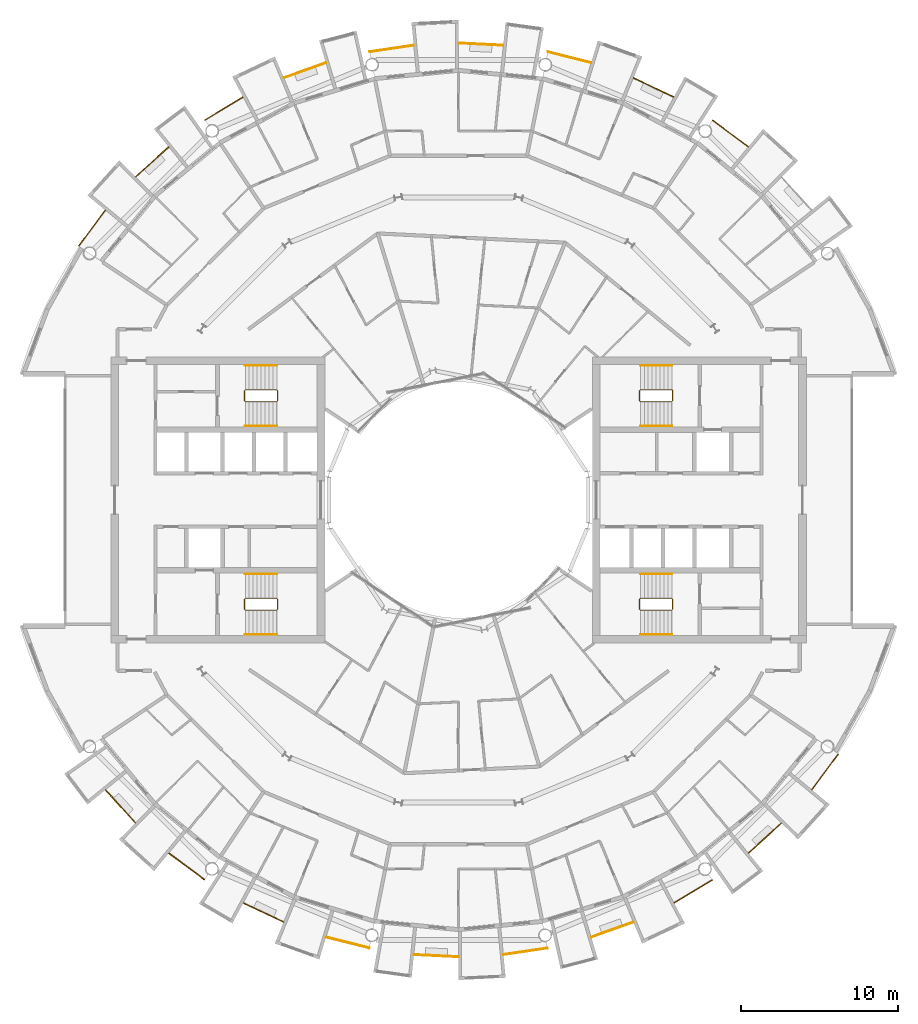
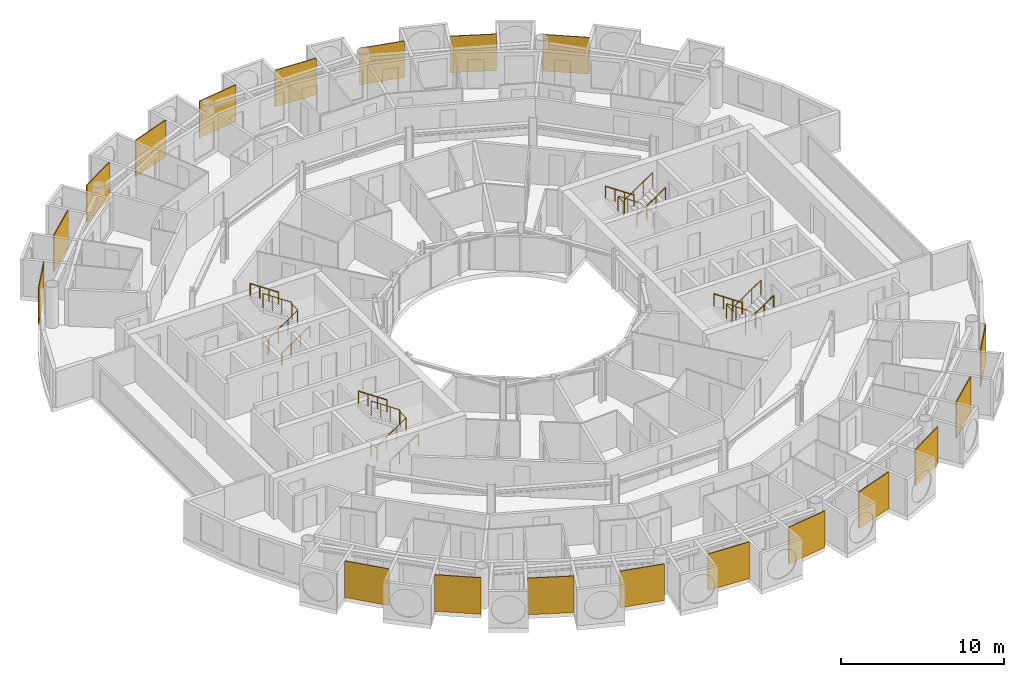
# One storey, part 26 of 27: 31 railings.
"""IFC4 building model written with IfcOpenShell, lengths in metres."""

from ifc_helpers import new_model, si_unit, direction, frame, origin, origin_2d, place, context, subcontext, project, spatial, polyline, circle, outline, extrude, material, layer, layer_set, type_object, element, save


model = new_model("IFC4")

# Units and contexts
model_context = context("Model", 3, precision=1e-05, world=origin(), true_north=direction((0.0, 1.0)))
body_context = subcontext(model_context, "Body", "Model", "MODEL_VIEW")
ifc_project = project(units=[si_unit("LENGTHUNIT", "METRE"), si_unit("AREAUNIT", "SQUARE_METRE"), si_unit("VOLUMEUNIT", "CUBIC_METRE"), si_unit("PLANEANGLEUNIT", "RADIAN"), si_unit("MASSUNIT", "GRAM", prefix="KILO")], contexts=[model_context])

# Site, building, storey
site_placement = place(None, origin())
site = spatial("IfcSite", under=ifc_project, at=site_placement, CompositionType="ELEMENT")
building_placement = place(site_placement, origin())
building = spatial("IfcBuilding", under=site, at=building_placement, Name="Maasbend Ring Residences", CompositionType="ELEMENT")
storey_placement = place(building_placement, frame((0.0, 0.0, 167.699951171875)))
storey = spatial("IfcBuildingStorey", under=building, at=storey_placement, Name="L48", CompositionType="ELEMENT", Elevation=167.699951171875)

# Railings
ifc_material_1 = material(Name="Pale anodised perforated aluminium", Category="aluminium")
ifc_layer = layer(ifc_material_1, 0.06005859375)
ifc_layer_set = layer_set([ifc_layer], Name="SCREEN-P")
railing_type_1 = type_object("IfcRailingType", Name="SCREEN-P", PredefinedType="GUARDRAIL", material=ifc_layer_set)
railing_1_placement = place(storey_placement, frame((0.0, 0.0, -0.030029296875)))
element("IfcRailing", 1, at=railing_1_placement, inside=storey, type_object=railing_type_1, Name="Perforated screen guard 2", PredefinedType="GUARDRAIL", context=body_context, shape_type="SweptSolid", body=[
    extrude(outline(polyline([(18.39697265625, 22.4169921875), (16.112060546875, 24.113037109375), (16.14697265625, 24.160888671875), (18.43310546875, 22.465087890625), (18.39697265625, 22.4169921875)])), origin(), (0.0, 0.0, 1.0), 2.72998046875),
])
railing_2_placement = place(storey_placement, frame((0.0, 0.0, -0.030029296875)))
element("IfcRailing", 2, at=railing_2_placement, inside=storey, type_object=railing_type_1, Name="Perforated screen guard 3", PredefinedType="GUARDRAIL", context=body_context, shape_type="SweptSolid", body=[
    extrude(outline(polyline([(13.6708984375, 25.575927734375), (11.097900390625, 26.79296875), (11.123046875, 26.846923828125), (13.696044921875, 25.6298828125), (13.6708984375, 25.575927734375)])), origin(), (0.0, 0.0, 1.0), 2.72998046875),
])
railing_3_placement = place(storey_placement, frame((0.0, 0.0, -0.030029296875)))
element("IfcRailing", 3, at=railing_3_placement, inside=storey, type_object=railing_type_1, Name="Perforated screen guard 4", PredefinedType="GUARDRAIL", context=body_context, shape_type="SweptSolid", body=[
    extrude(outline(polyline([(8.41796875, 27.7509765625), (5.657958984375, 28.443115234375), (5.672119140625, 28.5009765625), (8.43310546875, 27.80908203125), (8.41796875, 27.7509765625)])), origin(), (0.0, 0.0, 1.0), 2.72998046875),
])
railing_4_placement = place(storey_placement, frame((0.0, 0.0, -0.030029296875)))
element("IfcRailing", 4, at=railing_4_placement, inside=storey, type_object=railing_type_1, Name="Perforated screen guard 5", PredefinedType="GUARDRAIL", context=body_context, shape_type="SweptSolid", body=[
    extrude(outline(polyline([(2.842041015625, 28.860107421875), (0.0, 29.0), (0.0029296875, 29.06005859375), (2.844970703125, 28.919921875), (2.842041015625, 28.860107421875)])), origin(), (0.0, 0.0, 1.0), 2.72998046875),
])
railing_5_placement = place(storey_placement, frame((0.0, 0.0, -0.030029296875)))
element("IfcRailing", 5, at=railing_5_placement, inside=storey, type_object=railing_type_1, Name="Perforated screen guard 6", PredefinedType="GUARDRAIL", context=body_context, shape_type="SweptSolid", body=[
    extrude(outline(polyline([(-2.842041015625, 28.860107421875), (-5.657958984375, 28.443115234375), (-5.666015625, 28.501953125), (-2.85107421875, 28.919921875), (-2.842041015625, 28.860107421875)])), origin(), (0.0, 0.0, 1.0), 2.72998046875),
])
railing_6_placement = place(storey_placement, frame((0.0, 0.0, -0.030029296875)))
element("IfcRailing", 6, at=railing_6_placement, inside=storey, type_object=railing_type_1, Name="Perforated screen guard 7", PredefinedType="GUARDRAIL", context=body_context, shape_type="SweptSolid", body=[
    extrude(outline(polyline([(-8.41796875, 27.7509765625), (-11.097900390625, 26.79296875), (-11.117919921875, 26.84912109375), (-8.43798828125, 27.80810546875), (-8.41796875, 27.7509765625)])), origin(), (0.0, 0.0, 1.0), 2.72998046875),
])
railing_7_placement = place(storey_placement, frame((0.0, 0.0, -0.030029296875)))
element("IfcRailing", 7, at=railing_7_placement, inside=storey, type_object=railing_type_1, Name="Perforated screen guard 8", PredefinedType="GUARDRAIL", context=body_context, shape_type="SweptSolid", body=[
    extrude(outline(polyline([(-13.6708984375, 25.575927734375), (-16.112060546875, 24.113037109375), (-16.14208984375, 24.1640625), (-13.700927734375, 25.626953125), (-13.6708984375, 25.575927734375)])), origin(), (0.0, 0.0, 1.0), 2.72998046875),
])
railing_8_placement = place(storey_placement, frame((0.0, 0.0, -0.030029296875)))
element("IfcRailing", 8, at=railing_8_placement, inside=storey, type_object=railing_type_1, Name="Perforated screen guard 9", PredefinedType="GUARDRAIL", context=body_context, shape_type="SweptSolid", body=[
    extrude(outline(polyline([(-18.39697265625, 22.4169921875), (-20.506103515625, 20.506103515625), (-20.5458984375, 20.551025390625), (-18.43798828125, 22.4619140625), (-18.39697265625, 22.4169921875)])), origin(), (0.0, 0.0, 1.0), 2.72998046875),
])
railing_9_placement = place(storey_placement, frame((0.0, 0.0, -0.030029296875)))
element("IfcRailing", 9, at=railing_9_placement, inside=storey, type_object=railing_type_1, Name="Perforated screen guard 10", PredefinedType="GUARDRAIL", context=body_context, shape_type="SweptSolid", body=[
    extrude(outline(polyline([(-22.4169921875, 18.39697265625), (-24.113037109375, 16.112060546875), (-24.160888671875, 16.14697265625), (-22.465087890625, 18.43310546875), (-22.4169921875, 18.39697265625)])), origin(), (0.0, 0.0, 1.0), 2.72998046875),
])
railing_10_placement = place(storey_placement, frame((0.0, 0.0, -0.030029296875)))
element("IfcRailing", 10, at=railing_10_placement, inside=storey, type_object=railing_type_1, Name="Perforated screen guard 1", PredefinedType="GUARDRAIL", context=body_context, shape_type="SweptSolid", body=[
    extrude(outline(polyline([(-22.4169921875, -18.39697265625), (-20.506103515625, -20.506103515625), (-20.551025390625, -20.5458984375), (-22.4619140625, -18.43798828125), (-22.4169921875, -18.39697265625)])), origin(), (0.0, 0.0, 1.0), 2.72998046875),
])
railing_11_placement = place(storey_placement, frame((0.0, 0.0, -0.030029296875)))
element("IfcRailing", 11, at=railing_11_placement, inside=storey, type_object=railing_type_1, Name="Perforated screen guard 2", PredefinedType="GUARDRAIL", context=body_context, shape_type="SweptSolid", body=[
    extrude(outline(polyline([(-18.39697265625, -22.4169921875), (-16.112060546875, -24.113037109375), (-16.14697265625, -24.160888671875), (-18.43310546875, -22.465087890625), (-18.39697265625, -22.4169921875)])), origin(), (0.0, 0.0, 1.0), 2.72998046875),
])
railing_12_placement = place(storey_placement, frame((0.0, 0.0, -0.030029296875)))
element("IfcRailing", 12, at=railing_12_placement, inside=storey, type_object=railing_type_1, Name="Perforated screen guard 3", PredefinedType="GUARDRAIL", context=body_context, shape_type="SweptSolid", body=[
    extrude(outline(polyline([(-13.6708984375, -25.575927734375), (-11.097900390625, -26.79296875), (-11.123046875, -26.846923828125), (-13.696044921875, -25.6298828125), (-13.6708984375, -25.575927734375)])), origin(), (0.0, 0.0, 1.0), 2.72998046875),
])
railing_13_placement = place(storey_placement, frame((0.0, 0.0, -0.030029296875)))
element("IfcRailing", 13, at=railing_13_placement, inside=storey, type_object=railing_type_1, Name="Perforated screen guard 4", PredefinedType="GUARDRAIL", context=body_context, shape_type="SweptSolid", body=[
    extrude(outline(polyline([(-8.41796875, -27.7509765625), (-5.657958984375, -28.443115234375), (-5.672119140625, -28.5009765625), (-8.43310546875, -27.80908203125), (-8.41796875, -27.7509765625)])), origin(), (0.0, 0.0, 1.0), 2.72998046875),
])
railing_14_placement = place(storey_placement, frame((0.0, 0.0, -0.030029296875)))
element("IfcRailing", 14, at=railing_14_placement, inside=storey, type_object=railing_type_1, Name="Perforated screen guard 5", PredefinedType="GUARDRAIL", context=body_context, shape_type="SweptSolid", body=[
    extrude(outline(polyline([(-2.842041015625, -28.860107421875), (0.0, -29.0), (-0.0029296875, -29.06005859375), (-2.844970703125, -28.919921875), (-2.842041015625, -28.860107421875)])), origin(), (0.0, 0.0, 1.0), 2.72998046875),
])
railing_15_placement = place(storey_placement, frame((0.0, 0.0, -0.030029296875)))
element("IfcRailing", 15, at=railing_15_placement, inside=storey, type_object=railing_type_1, Name="Perforated screen guard 6", PredefinedType="GUARDRAIL", context=body_context, shape_type="SweptSolid", body=[
    extrude(outline(polyline([(2.842041015625, -28.860107421875), (5.657958984375, -28.443115234375), (5.666015625, -28.501953125), (2.85107421875, -28.919921875), (2.842041015625, -28.860107421875)])), origin(), (0.0, 0.0, 1.0), 2.72998046875),
])
railing_16_placement = place(storey_placement, frame((0.0, 0.0, -0.030029296875)))
element("IfcRailing", 16, at=railing_16_placement, inside=storey, type_object=railing_type_1, Name="Perforated screen guard 7", PredefinedType="GUARDRAIL", context=body_context, shape_type="SweptSolid", body=[
    extrude(outline(polyline([(8.41796875, -27.7509765625), (11.097900390625, -26.79296875), (11.117919921875, -26.84912109375), (8.43798828125, -27.80810546875), (8.41796875, -27.7509765625)])), origin(), (0.0, 0.0, 1.0), 2.72998046875),
])
railing_17_placement = place(storey_placement, frame((0.0, 0.0, -0.030029296875)))
element("IfcRailing", 17, at=railing_17_placement, inside=storey, type_object=railing_type_1, Name="Perforated screen guard 8", PredefinedType="GUARDRAIL", context=body_context, shape_type="SweptSolid", body=[
    extrude(outline(polyline([(13.6708984375, -25.575927734375), (16.112060546875, -24.113037109375), (16.14208984375, -24.1640625), (13.700927734375, -25.626953125), (13.6708984375, -25.575927734375)])), origin(), (0.0, 0.0, 1.0), 2.72998046875),
])
railing_18_placement = place(storey_placement, frame((0.0, 0.0, -0.030029296875)))
element("IfcRailing", 18, at=railing_18_placement, inside=storey, type_object=railing_type_1, Name="Perforated screen guard 9", PredefinedType="GUARDRAIL", context=body_context, shape_type="SweptSolid", body=[
    extrude(outline(polyline([(18.39697265625, -22.4169921875), (20.506103515625, -20.506103515625), (20.5458984375, -20.551025390625), (18.43798828125, -22.4619140625), (18.39697265625, -22.4169921875)])), origin(), (0.0, 0.0, 1.0), 2.72998046875),
])
railing_19_placement = place(storey_placement, frame((0.0, 0.0, -0.030029296875)))
element("IfcRailing", 19, at=railing_19_placement, inside=storey, type_object=railing_type_1, Name="Perforated screen guard 10", PredefinedType="GUARDRAIL", context=body_context, shape_type="SweptSolid", body=[
    extrude(outline(polyline([(22.4169921875, -18.39697265625), (24.113037109375, -16.112060546875), (24.160888671875, -16.14697265625), (22.465087890625, -18.43310546875), (22.4169921875, -18.39697265625)])), origin(), (0.0, 0.0, 1.0), 2.72998046875),
])
ifc_material_2 = material(Name="Stainless steel 316", Category="steel")
railing_type_2 = type_object("IfcRailingType", Name="STAIR GUARD 1100", PredefinedType="GUARDRAIL", material=ifc_material_2)
railing_20_placement = place(storey_placement, frame((13.60009765625, 6.300048828125, 0.0)))
element("IfcRailing", 20, at=railing_20_placement, inside=storey, type_object=railing_type_2, Name="L48 ST-E1 stair guard 1", PredefinedType="GUARDRAIL", context=body_context, shape_type="SweptSolid", body=[
    extrude(circle(Radius=0.02392578125, at=origin_2d()), frame((0.0, 0.0, 1.076171875), z_axis=(0.0, 1.0, 0.0), x_axis=(-1.0, 0.0, 0.0)), (0.0, 0.0, 1.0), 0.64990234375),
    extrude(circle(Radius=0.02392578125, at=origin_2d()), frame((0.0, 0.64990234375, 1.076171875), z_axis=(-0.272562526181, 0.272562526181, 0.92272386912), x_axis=(-0.707106781187, -0.707106781187, 0.0)), (0.0, 0.0, 1.0), 0.18359375),
    extrude(circle(Radius=0.02392578125, at=origin_2d()), frame((-0.050048828125, 0.699951171875, 1.24560546875), z_axis=(-0.827750655447, 0.0, 0.561096116906), x_axis=(0.0, -1.0, 0.0)), (0.0, 0.0, 1.0), 2.416259765625),
    extrude(circle(Radius=0.02392578125, at=origin_2d()), frame((-2.050048828125, 0.699951171875, 2.60107421875), z_axis=(-0.707106781187, -0.707106781187, 0.0), x_axis=(0.707106781187, -0.707106781187, 0.0)), (0.0, 0.0, 1.0), 0.07080078125),
    extrude(circle(Radius=0.02392578125, at=origin_2d()), frame((-2.10009765625, 0.64990234375, 2.60107421875), z_axis=(0.0, -1.0, 0.0), x_axis=(1.0, 0.0, 0.0)), (0.0, 0.0, 1.0), 0.64990234375),
    extrude(circle(Radius=0.02392578125, at=origin_2d()), frame((-2.10009765625, 0.0, 2.60107421875), z_axis=(0.272562526181, -0.272562526181, 0.92272386912), x_axis=(0.707106781187, 0.707106781187, 0.0)), (0.0, 0.0, 1.0), 0.18359375),
    extrude(circle(Radius=0.02392578125, at=origin_2d()), frame((-2.050048828125, -0.050048828125, 2.7705078125), z_axis=(0.827797584762, 0.0, 0.561026878735), x_axis=(0.0, 1.0, 0.0)), (0.0, 0.0, 1.0), 2.416015625),
    extrude(circle(Radius=0.02099609375, at=origin_2d()), origin(), (0.0, 0.0, 1.0), 1.052001953125),
    extrude(circle(Radius=0.02099609375, at=origin_2d()), frame((0.0, 0.64990234375, 0.0)), (0.0, 0.0, 1.0), 1.052001953125),
    extrude(circle(Radius=0.02099609375, at=origin_2d()), frame((-0.050048828125, 0.699951171875, 0.16943359375)), (0.0, 0.0, 1.0), 1.052001953125),
    extrude(circle(Radius=0.02099609375, at=origin_2d()), frame((-0.716796875, 0.699951171875, 0.621337890625)), (0.0, 0.0, 1.0), 1.052001953125),
    extrude(circle(Radius=0.02099609375, at=origin_2d()), frame((-1.38330078125, 0.699951171875, 1.0732421875)), (0.0, 0.0, 1.0), 1.052001953125),
    extrude(circle(Radius=0.02099609375, at=origin_2d()), frame((-2.050048828125, 0.699951171875, 1.525146484375)), (0.0, 0.0, 1.0), 1.052001953125),
    extrude(circle(Radius=0.02099609375, at=origin_2d()), frame((-2.10009765625, 0.64990234375, 1.525146484375)), (0.0, 0.0, 1.0), 1.052001953125),
    extrude(circle(Radius=0.02099609375, at=origin_2d()), frame((-2.10009765625, 0.0, 1.525146484375)), (0.0, 0.0, 1.0), 1.052001953125),
    extrude(circle(Radius=0.02099609375, at=origin_2d()), frame((-2.050048828125, -0.050048828125, 1.694580078125)), (0.0, 0.0, 1.0), 1.052001953125),
    extrude(circle(Radius=0.02099609375, at=origin_2d()), frame((-1.38330078125, -0.050048828125, 2.146484375)), (0.0, 0.0, 1.0), 1.052001953125),
    extrude(circle(Radius=0.02099609375, at=origin_2d()), frame((-0.716796875, -0.050048828125, 2.59814453125)), (0.0, 0.0, 1.0), 1.052001953125),
    extrude(circle(Radius=0.02099609375, at=origin_2d()), frame((-0.050048828125, -0.050048828125, 3.050048828125)), (0.0, 0.0, 1.0), 1.052001953125),
])
railing_21_placement = place(storey_placement, frame((13.60009765625, -6.949951171875, 0.0)))
element("IfcRailing", 21, at=railing_21_placement, inside=storey, type_object=railing_type_2, Name="L48 ST-E2 stair guard 1", PredefinedType="GUARDRAIL", context=body_context, shape_type="SweptSolid", body=[
    extrude(circle(Radius=0.02392578125, at=origin_2d()), frame((0.0, 0.0, 1.076171875), z_axis=(0.0, 1.0, 0.0), x_axis=(-1.0, 0.0, 0.0)), (0.0, 0.0, 1.0), 0.64990234375),
    extrude(circle(Radius=0.02392578125, at=origin_2d()), frame((0.0, 0.64990234375, 1.076171875), z_axis=(-0.272562526181, 0.272562526181, 0.92272386912), x_axis=(-0.707106781187, -0.707106781187, 0.0)), (0.0, 0.0, 1.0), 0.18359375),
    extrude(circle(Radius=0.02392578125, at=origin_2d()), frame((-0.050048828125, 0.699951171875, 1.24560546875), z_axis=(-0.827750655447, 0.0, 0.561096116906), x_axis=(0.0, -1.0, 0.0)), (0.0, 0.0, 1.0), 2.416259765625),
    extrude(circle(Radius=0.02392578125, at=origin_2d()), frame((-2.050048828125, 0.699951171875, 2.60107421875), z_axis=(-0.707106781187, -0.707106781187, 0.0), x_axis=(0.707106781187, -0.707106781187, 0.0)), (0.0, 0.0, 1.0), 0.07080078125),
    extrude(circle(Radius=0.02392578125, at=origin_2d()), frame((-2.10009765625, 0.64990234375, 2.60107421875), z_axis=(0.0, -1.0, 0.0), x_axis=(1.0, 0.0, 0.0)), (0.0, 0.0, 1.0), 0.64990234375),
    extrude(circle(Radius=0.02392578125, at=origin_2d()), frame((-2.10009765625, 0.0, 2.60107421875), z_axis=(0.272562526181, -0.272562526181, 0.92272386912), x_axis=(0.707106781187, 0.707106781187, 0.0)), (0.0, 0.0, 1.0), 0.18359375),
    extrude(circle(Radius=0.02392578125, at=origin_2d()), frame((-2.050048828125, -0.050048828125, 2.7705078125), z_axis=(0.827797584762, 0.0, 0.561026878735), x_axis=(0.0, 1.0, 0.0)), (0.0, 0.0, 1.0), 2.416015625),
    extrude(circle(Radius=0.02099609375, at=origin_2d()), origin(), (0.0, 0.0, 1.0), 1.052001953125),
    extrude(circle(Radius=0.02099609375, at=origin_2d()), frame((0.0, 0.64990234375, 0.0)), (0.0, 0.0, 1.0), 1.052001953125),
    extrude(circle(Radius=0.02099609375, at=origin_2d()), frame((-0.050048828125, 0.699951171875, 0.16943359375)), (0.0, 0.0, 1.0), 1.052001953125),
    extrude(circle(Radius=0.02099609375, at=origin_2d()), frame((-0.716796875, 0.699951171875, 0.621337890625)), (0.0, 0.0, 1.0), 1.052001953125),
    extrude(circle(Radius=0.02099609375, at=origin_2d()), frame((-1.38330078125, 0.699951171875, 1.0732421875)), (0.0, 0.0, 1.0), 1.052001953125),
    extrude(circle(Radius=0.02099609375, at=origin_2d()), frame((-2.050048828125, 0.699951171875, 1.525146484375)), (0.0, 0.0, 1.0), 1.052001953125),
    extrude(circle(Radius=0.02099609375, at=origin_2d()), frame((-2.10009765625, 0.64990234375, 1.525146484375)), (0.0, 0.0, 1.0), 1.052001953125),
    extrude(circle(Radius=0.02099609375, at=origin_2d()), frame((-2.10009765625, 0.0, 1.525146484375)), (0.0, 0.0, 1.0), 1.052001953125),
    extrude(circle(Radius=0.02099609375, at=origin_2d()), frame((-2.050048828125, -0.050048828125, 1.694580078125)), (0.0, 0.0, 1.0), 1.052001953125),
    extrude(circle(Radius=0.02099609375, at=origin_2d()), frame((-1.38330078125, -0.050048828125, 2.146484375)), (0.0, 0.0, 1.0), 1.052001953125),
    extrude(circle(Radius=0.02099609375, at=origin_2d()), frame((-0.716796875, -0.050048828125, 2.59814453125)), (0.0, 0.0, 1.0), 1.052001953125),
    extrude(circle(Radius=0.02099609375, at=origin_2d()), frame((-0.050048828125, -0.050048828125, 3.050048828125)), (0.0, 0.0, 1.0), 1.052001953125),
])
railing_22_placement = place(storey_placement, frame((-13.60009765625, -6.300048828125, 0.0)))
element("IfcRailing", 22, at=railing_22_placement, inside=storey, type_object=railing_type_2, Name="L48 ST-W1 stair guard 1", PredefinedType="GUARDRAIL", context=body_context, shape_type="SweptSolid", body=[
    extrude(circle(Radius=0.02392578125, at=origin_2d()), frame((0.0, 0.0, 1.076171875), z_axis=(0.0, -1.0, 0.0), x_axis=(1.0, 0.0, 0.0)), (0.0, 0.0, 1.0), 0.64990234375),
    extrude(circle(Radius=0.02392578125, at=origin_2d()), frame((0.0, -0.64990234375, 1.076171875), z_axis=(0.272562526181, -0.272562526181, 0.92272386912), x_axis=(0.707106781187, 0.707106781187, 0.0)), (0.0, 0.0, 1.0), 0.18359375),
    extrude(circle(Radius=0.02392578125, at=origin_2d()), frame((0.050048828125, -0.699951171875, 1.24560546875), z_axis=(0.827750655447, 0.0, 0.561096116906), x_axis=(0.0, 1.0, 0.0)), (0.0, 0.0, 1.0), 2.416259765625),
    extrude(circle(Radius=0.02392578125, at=origin_2d()), frame((2.050048828125, -0.699951171875, 2.60107421875), z_axis=(0.707106781187, 0.707106781187, 0.0), x_axis=(-0.707106781187, 0.707106781187, 0.0)), (0.0, 0.0, 1.0), 0.07080078125),
    extrude(circle(Radius=0.02392578125, at=origin_2d()), frame((2.10009765625, -0.64990234375, 2.60107421875), z_axis=(0.0, 1.0, 0.0), x_axis=(-1.0, 0.0, 0.0)), (0.0, 0.0, 1.0), 0.64990234375),
    extrude(circle(Radius=0.02392578125, at=origin_2d()), frame((2.10009765625, 0.0, 2.60107421875), z_axis=(-0.272562526181, 0.272562526181, 0.92272386912), x_axis=(-0.707106781187, -0.707106781187, 0.0)), (0.0, 0.0, 1.0), 0.18359375),
    extrude(circle(Radius=0.02392578125, at=origin_2d()), frame((2.050048828125, 0.050048828125, 2.7705078125), z_axis=(-0.827797584762, 0.0, 0.561026878735), x_axis=(0.0, -1.0, 0.0)), (0.0, 0.0, 1.0), 2.416015625),
    extrude(circle(Radius=0.02099609375, at=origin_2d()), origin(), (0.0, 0.0, 1.0), 1.052001953125),
    extrude(circle(Radius=0.02099609375, at=origin_2d()), frame((0.0, -0.64990234375, 0.0)), (0.0, 0.0, 1.0), 1.052001953125),
    extrude(circle(Radius=0.02099609375, at=origin_2d()), frame((0.050048828125, -0.699951171875, 0.16943359375)), (0.0, 0.0, 1.0), 1.052001953125),
    extrude(circle(Radius=0.02099609375, at=origin_2d()), frame((0.716796875, -0.699951171875, 0.621337890625)), (0.0, 0.0, 1.0), 1.052001953125),
    extrude(circle(Radius=0.02099609375, at=origin_2d()), frame((1.38330078125, -0.699951171875, 1.0732421875)), (0.0, 0.0, 1.0), 1.052001953125),
    extrude(circle(Radius=0.02099609375, at=origin_2d()), frame((2.050048828125, -0.699951171875, 1.525146484375)), (0.0, 0.0, 1.0), 1.052001953125),
    extrude(circle(Radius=0.02099609375, at=origin_2d()), frame((2.10009765625, -0.64990234375, 1.525146484375)), (0.0, 0.0, 1.0), 1.052001953125),
    extrude(circle(Radius=0.02099609375, at=origin_2d()), frame((2.10009765625, 0.0, 1.525146484375)), (0.0, 0.0, 1.0), 1.052001953125),
    extrude(circle(Radius=0.02099609375, at=origin_2d()), frame((2.050048828125, 0.050048828125, 1.694580078125)), (0.0, 0.0, 1.0), 1.052001953125),
    extrude(circle(Radius=0.02099609375, at=origin_2d()), frame((1.38330078125, 0.050048828125, 2.146484375)), (0.0, 0.0, 1.0), 1.052001953125),
    extrude(circle(Radius=0.02099609375, at=origin_2d()), frame((0.716796875, 0.050048828125, 2.59814453125)), (0.0, 0.0, 1.0), 1.052001953125),
    extrude(circle(Radius=0.02099609375, at=origin_2d()), frame((0.050048828125, 0.050048828125, 3.050048828125)), (0.0, 0.0, 1.0), 1.052001953125),
])
railing_23_placement = place(storey_placement, frame((-13.60009765625, 6.949951171875, 0.0)))
element("IfcRailing", 23, at=railing_23_placement, inside=storey, type_object=railing_type_2, Name="L48 ST-W2 stair guard 1", PredefinedType="GUARDRAIL", context=body_context, shape_type="SweptSolid", body=[
    extrude(circle(Radius=0.02392578125, at=origin_2d()), frame((0.0, 0.0, 1.076171875), z_axis=(0.0, -1.0, 0.0), x_axis=(1.0, 0.0, 0.0)), (0.0, 0.0, 1.0), 0.64990234375),
    extrude(circle(Radius=0.02392578125, at=origin_2d()), frame((0.0, -0.64990234375, 1.076171875), z_axis=(0.272562526181, -0.272562526181, 0.92272386912), x_axis=(0.707106781187, 0.707106781187, 0.0)), (0.0, 0.0, 1.0), 0.18359375),
    extrude(circle(Radius=0.02392578125, at=origin_2d()), frame((0.050048828125, -0.699951171875, 1.24560546875), z_axis=(0.827750655447, 0.0, 0.561096116906), x_axis=(0.0, 1.0, 0.0)), (0.0, 0.0, 1.0), 2.416259765625),
    extrude(circle(Radius=0.02392578125, at=origin_2d()), frame((2.050048828125, -0.699951171875, 2.60107421875), z_axis=(0.707106781187, 0.707106781187, 0.0), x_axis=(-0.707106781187, 0.707106781187, 0.0)), (0.0, 0.0, 1.0), 0.07080078125),
    extrude(circle(Radius=0.02392578125, at=origin_2d()), frame((2.10009765625, -0.64990234375, 2.60107421875), z_axis=(0.0, 1.0, 0.0), x_axis=(-1.0, 0.0, 0.0)), (0.0, 0.0, 1.0), 0.64990234375),
    extrude(circle(Radius=0.02392578125, at=origin_2d()), frame((2.10009765625, 0.0, 2.60107421875), z_axis=(-0.272562526181, 0.272562526181, 0.92272386912), x_axis=(-0.707106781187, -0.707106781187, 0.0)), (0.0, 0.0, 1.0), 0.18359375),
    extrude(circle(Radius=0.02392578125, at=origin_2d()), frame((2.050048828125, 0.050048828125, 2.7705078125), z_axis=(-0.827797584762, 0.0, 0.561026878735), x_axis=(0.0, -1.0, 0.0)), (0.0, 0.0, 1.0), 2.416015625),
    extrude(circle(Radius=0.02099609375, at=origin_2d()), origin(), (0.0, 0.0, 1.0), 1.052001953125),
    extrude(circle(Radius=0.02099609375, at=origin_2d()), frame((0.0, -0.64990234375, 0.0)), (0.0, 0.0, 1.0), 1.052001953125),
    extrude(circle(Radius=0.02099609375, at=origin_2d()), frame((0.050048828125, -0.699951171875, 0.16943359375)), (0.0, 0.0, 1.0), 1.052001953125),
    extrude(circle(Radius=0.02099609375, at=origin_2d()), frame((0.716796875, -0.699951171875, 0.621337890625)), (0.0, 0.0, 1.0), 1.052001953125),
    extrude(circle(Radius=0.02099609375, at=origin_2d()), frame((1.38330078125, -0.699951171875, 1.0732421875)), (0.0, 0.0, 1.0), 1.052001953125),
    extrude(circle(Radius=0.02099609375, at=origin_2d()), frame((2.050048828125, -0.699951171875, 1.525146484375)), (0.0, 0.0, 1.0), 1.052001953125),
    extrude(circle(Radius=0.02099609375, at=origin_2d()), frame((2.10009765625, -0.64990234375, 1.525146484375)), (0.0, 0.0, 1.0), 1.052001953125),
    extrude(circle(Radius=0.02099609375, at=origin_2d()), frame((2.10009765625, 0.0, 1.525146484375)), (0.0, 0.0, 1.0), 1.052001953125),
    extrude(circle(Radius=0.02099609375, at=origin_2d()), frame((2.050048828125, 0.050048828125, 1.694580078125)), (0.0, 0.0, 1.0), 1.052001953125),
    extrude(circle(Radius=0.02099609375, at=origin_2d()), frame((1.38330078125, 0.050048828125, 2.146484375)), (0.0, 0.0, 1.0), 1.052001953125),
    extrude(circle(Radius=0.02099609375, at=origin_2d()), frame((0.716796875, 0.050048828125, 2.59814453125)), (0.0, 0.0, 1.0), 1.052001953125),
    extrude(circle(Radius=0.02099609375, at=origin_2d()), frame((0.050048828125, 0.050048828125, 3.050048828125)), (0.0, 0.0, 1.0), 1.052001953125),
])
ifc_material_3 = material(Name="Stainless steel 316", Category="steel")
railing_type_3 = type_object("IfcRailingType", Name="STAIR HANDRAIL 900", PredefinedType="HANDRAIL", material=ifc_material_3)
railing_24_placement = place(storey_placement, frame((13.550048828125, 8.550048828125, 0.16943359375)))
element("IfcRailing", 24, at=railing_24_placement, inside=storey, type_object=railing_type_3, Name="L48 ST-E1 stair handrail 1", PredefinedType="HANDRAIL", context=body_context, shape_type="SweptSolid", body=[
    extrude(circle(Radius=0.02392578125, at=origin_2d()), frame((0.0, 0.0, 0.8759765625), z_axis=(-0.827750655447, 0.0, 0.561096116906), x_axis=(0.0, -1.0, 0.0)), (0.0, 0.0, 1.0), 2.416259765625),
    extrude(circle(Radius=0.02099609375, at=origin_2d()), origin(), (0.0, 0.0, 1.0), 0.851806640625),
    extrude(circle(Radius=0.02099609375, at=origin_2d()), frame((-0.666748046875, 0.0, 0.451904296875)), (0.0, 0.0, 1.0), 0.851806640625),
    extrude(circle(Radius=0.02099609375, at=origin_2d()), frame((-1.333251953125, 0.0, 0.90380859375)), (0.0, 0.0, 1.0), 0.851806640625),
    extrude(circle(Radius=0.02099609375, at=origin_2d()), frame((-2.0, 0.0, 1.355712890625)), (0.0, 0.0, 1.0), 0.851806640625),
])
railing_25_placement = place(storey_placement, frame((11.550048828125, 4.699951171875, 1.694580078125)))
element("IfcRailing", 25, at=railing_25_placement, inside=storey, type_object=railing_type_3, Name="L48 ST-E1 stair handrail 2", PredefinedType="HANDRAIL", context=body_context, shape_type="SweptSolid", body=[
    extrude(circle(Radius=0.02392578125, at=origin_2d()), frame((0.0, 0.0, 0.8759765625), z_axis=(0.827797584762, 0.0, 0.561026878735), x_axis=(0.0, 1.0, 0.0)), (0.0, 0.0, 1.0), 2.416015625),
    extrude(circle(Radius=0.02099609375, at=origin_2d()), origin(), (0.0, 0.0, 1.0), 0.851806640625),
    extrude(circle(Radius=0.02099609375, at=origin_2d()), frame((0.666748046875, 0.0, 0.451904296875)), (0.0, 0.0, 1.0), 0.851806640625),
    extrude(circle(Radius=0.02099609375, at=origin_2d()), frame((1.333251953125, 0.0, 0.903564453125)), (0.0, 0.0, 1.0), 0.851806640625),
    extrude(circle(Radius=0.02099609375, at=origin_2d()), frame((2.0, 0.0, 1.35546875)), (0.0, 0.0, 1.0), 0.851806640625),
])
railing_26_placement = place(storey_placement, frame((13.550048828125, -4.699951171875, 0.16943359375)))
element("IfcRailing", 26, at=railing_26_placement, inside=storey, type_object=railing_type_3, Name="L48 ST-E2 stair handrail 1", PredefinedType="HANDRAIL", context=body_context, shape_type="SweptSolid", body=[
    extrude(circle(Radius=0.02392578125, at=origin_2d()), frame((0.0, 0.0, 0.8759765625), z_axis=(-0.827750655447, 0.0, 0.561096116906), x_axis=(0.0, -1.0, 0.0)), (0.0, 0.0, 1.0), 2.416259765625),
    extrude(circle(Radius=0.02099609375, at=origin_2d()), origin(), (0.0, 0.0, 1.0), 0.851806640625),
    extrude(circle(Radius=0.02099609375, at=origin_2d()), frame((-0.666748046875, 0.0, 0.451904296875)), (0.0, 0.0, 1.0), 0.851806640625),
    extrude(circle(Radius=0.02099609375, at=origin_2d()), frame((-1.333251953125, 0.0, 0.90380859375)), (0.0, 0.0, 1.0), 0.851806640625),
    extrude(circle(Radius=0.02099609375, at=origin_2d()), frame((-2.0, 0.0, 1.355712890625)), (0.0, 0.0, 1.0), 0.851806640625),
])
railing_27_placement = place(storey_placement, frame((11.550048828125, -8.550048828125, 1.694580078125)))
element("IfcRailing", 27, at=railing_27_placement, inside=storey, type_object=railing_type_3, Name="L48 ST-E2 stair handrail 2", PredefinedType="HANDRAIL", context=body_context, shape_type="SweptSolid", body=[
    extrude(circle(Radius=0.02392578125, at=origin_2d()), frame((0.0, 0.0, 0.8759765625), z_axis=(0.827797584762, 0.0, 0.561026878735), x_axis=(0.0, 1.0, 0.0)), (0.0, 0.0, 1.0), 2.416015625),
    extrude(circle(Radius=0.02099609375, at=origin_2d()), origin(), (0.0, 0.0, 1.0), 0.851806640625),
    extrude(circle(Radius=0.02099609375, at=origin_2d()), frame((0.666748046875, 0.0, 0.451904296875)), (0.0, 0.0, 1.0), 0.851806640625),
    extrude(circle(Radius=0.02099609375, at=origin_2d()), frame((1.333251953125, 0.0, 0.903564453125)), (0.0, 0.0, 1.0), 0.851806640625),
    extrude(circle(Radius=0.02099609375, at=origin_2d()), frame((2.0, 0.0, 1.35546875)), (0.0, 0.0, 1.0), 0.851806640625),
])
railing_28_placement = place(storey_placement, frame((-13.550048828125, -8.550048828125, 0.16943359375)))
element("IfcRailing", 28, at=railing_28_placement, inside=storey, type_object=railing_type_3, Name="L48 ST-W1 stair handrail 1", PredefinedType="HANDRAIL", context=body_context, shape_type="SweptSolid", body=[
    extrude(circle(Radius=0.02392578125, at=origin_2d()), frame((0.0, 0.0, 0.8759765625), z_axis=(0.827750655447, 0.0, 0.561096116906), x_axis=(0.0, 1.0, 0.0)), (0.0, 0.0, 1.0), 2.416259765625),
    extrude(circle(Radius=0.02099609375, at=origin_2d()), origin(), (0.0, 0.0, 1.0), 0.851806640625),
    extrude(circle(Radius=0.02099609375, at=origin_2d()), frame((0.666748046875, 0.0, 0.451904296875)), (0.0, 0.0, 1.0), 0.851806640625),
    extrude(circle(Radius=0.02099609375, at=origin_2d()), frame((1.333251953125, 0.0, 0.90380859375)), (0.0, 0.0, 1.0), 0.851806640625),
    extrude(circle(Radius=0.02099609375, at=origin_2d()), frame((2.0, 0.0, 1.355712890625)), (0.0, 0.0, 1.0), 0.851806640625),
])
railing_29_placement = place(storey_placement, frame((-11.550048828125, -4.699951171875, 1.694580078125)))
element("IfcRailing", 29, at=railing_29_placement, inside=storey, type_object=railing_type_3, Name="L48 ST-W1 stair handrail 2", PredefinedType="HANDRAIL", context=body_context, shape_type="SweptSolid", body=[
    extrude(circle(Radius=0.02392578125, at=origin_2d()), frame((0.0, 0.0, 0.8759765625), z_axis=(-0.827797584762, 0.0, 0.561026878735), x_axis=(0.0, -1.0, 0.0)), (0.0, 0.0, 1.0), 2.416015625),
    extrude(circle(Radius=0.02099609375, at=origin_2d()), origin(), (0.0, 0.0, 1.0), 0.851806640625),
    extrude(circle(Radius=0.02099609375, at=origin_2d()), frame((-0.666748046875, 0.0, 0.451904296875)), (0.0, 0.0, 1.0), 0.851806640625),
    extrude(circle(Radius=0.02099609375, at=origin_2d()), frame((-1.333251953125, 0.0, 0.903564453125)), (0.0, 0.0, 1.0), 0.851806640625),
    extrude(circle(Radius=0.02099609375, at=origin_2d()), frame((-2.0, 0.0, 1.35546875)), (0.0, 0.0, 1.0), 0.851806640625),
])
railing_30_placement = place(storey_placement, frame((-13.550048828125, 4.699951171875, 0.16943359375)))
element("IfcRailing", 30, at=railing_30_placement, inside=storey, type_object=railing_type_3, Name="L48 ST-W2 stair handrail 1", PredefinedType="HANDRAIL", context=body_context, shape_type="SweptSolid", body=[
    extrude(circle(Radius=0.02392578125, at=origin_2d()), frame((0.0, 0.0, 0.8759765625), z_axis=(0.827750655447, 0.0, 0.561096116906), x_axis=(0.0, 1.0, 0.0)), (0.0, 0.0, 1.0), 2.416259765625),
    extrude(circle(Radius=0.02099609375, at=origin_2d()), origin(), (0.0, 0.0, 1.0), 0.851806640625),
    extrude(circle(Radius=0.02099609375, at=origin_2d()), frame((0.666748046875, 0.0, 0.451904296875)), (0.0, 0.0, 1.0), 0.851806640625),
    extrude(circle(Radius=0.02099609375, at=origin_2d()), frame((1.333251953125, 0.0, 0.90380859375)), (0.0, 0.0, 1.0), 0.851806640625),
    extrude(circle(Radius=0.02099609375, at=origin_2d()), frame((2.0, 0.0, 1.355712890625)), (0.0, 0.0, 1.0), 0.851806640625),
])
railing_31_placement = place(storey_placement, frame((-11.550048828125, 8.550048828125, 1.694580078125)))
element("IfcRailing", 31, at=railing_31_placement, inside=storey, type_object=railing_type_3, Name="L48 ST-W2 stair handrail 2", PredefinedType="HANDRAIL", context=body_context, shape_type="SweptSolid", body=[
    extrude(circle(Radius=0.02392578125, at=origin_2d()), frame((0.0, 0.0, 0.8759765625), z_axis=(-0.827797584762, 0.0, 0.561026878735), x_axis=(0.0, -1.0, 0.0)), (0.0, 0.0, 1.0), 2.416015625),
    extrude(circle(Radius=0.02099609375, at=origin_2d()), origin(), (0.0, 0.0, 1.0), 0.851806640625),
    extrude(circle(Radius=0.02099609375, at=origin_2d()), frame((-0.666748046875, 0.0, 0.451904296875)), (0.0, 0.0, 1.0), 0.851806640625),
    extrude(circle(Radius=0.02099609375, at=origin_2d()), frame((-1.333251953125, 0.0, 0.903564453125)), (0.0, 0.0, 1.0), 0.851806640625),
    extrude(circle(Radius=0.02099609375, at=origin_2d()), frame((-2.0, 0.0, 1.35546875)), (0.0, 0.0, 1.0), 0.851806640625),
])

save(model, "model.ifc")
